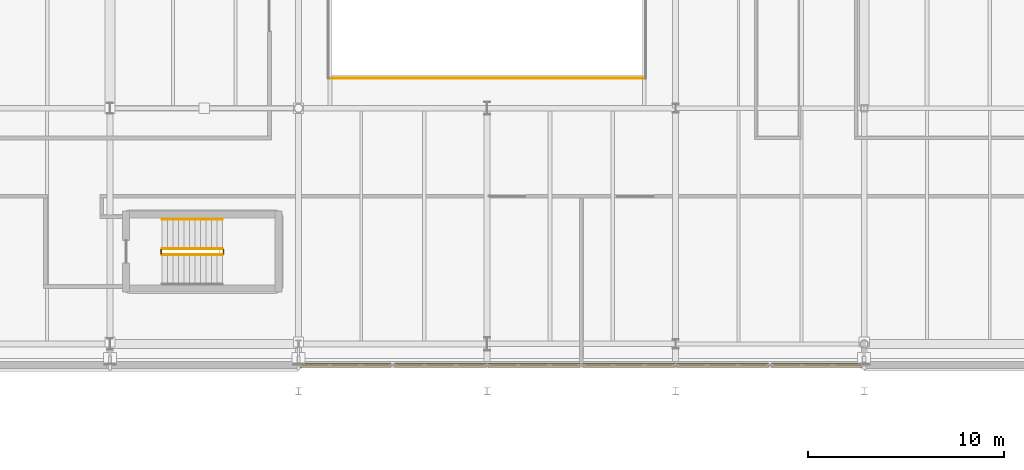
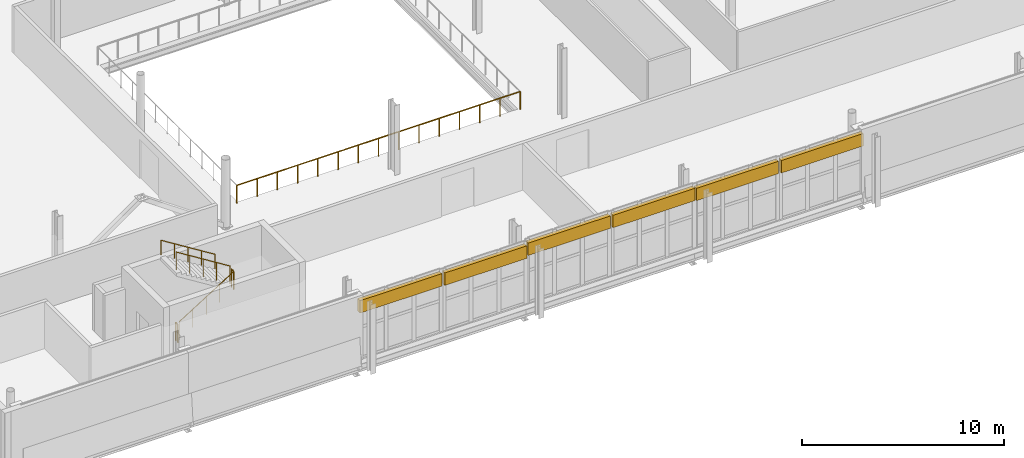
# One storey, part 52 of 57: 6 coverings, 6 railings.
"""IFC4 building model written with IfcOpenShell, lengths in metres."""

from ifc_helpers import new_model, si_unit, direction, frame, origin, origin_2d, place, context, subcontext, project, spatial, rectangle, circle, extrude, material, layer, layer_set, type_object, element, save


model = new_model("IFC4")

# Units and contexts
model_context = context("Model", 3, precision=1e-05, world=origin(), true_north=direction((0.0, 1.0)))
body_context = subcontext(model_context, "Body", "Model", "MODEL_VIEW")
ifc_project = project(units=[si_unit("LENGTHUNIT", "METRE"), si_unit("AREAUNIT", "SQUARE_METRE"), si_unit("VOLUMEUNIT", "CUBIC_METRE"), si_unit("PLANEANGLEUNIT", "RADIAN"), si_unit("MASSUNIT", "GRAM", prefix="KILO")], contexts=[model_context])

# Site, building, storey
site_placement = place(None, origin())
site = spatial("IfcSite", under=ifc_project, at=site_placement, CompositionType="ELEMENT")
building_placement = place(site_placement, origin())
building = spatial("IfcBuilding", under=site, at=building_placement, Name="Zereglee Splitstone Museum", CompositionType="ELEMENT")
storey_placement = place(building_placement, frame((0.0, 0.0, 17.10009765625)))
storey = spatial("IfcBuildingStorey", under=building, at=storey_placement, Name="L03", CompositionType="ELEMENT", Elevation=17.10009765625)

# Coverings
ifc_material_1 = material(Name="Honed Gobi pale limestone stringcourse and soffit cladding", Category="masonry")
ifc_layer = layer(ifc_material_1, 0.070068359375)
ifc_layer_set = layer_set([ifc_layer], Name="Honed Gobi pale limestone stringcourse and soffit cladding")
covering_type = type_object("IfcCoveringType", Name="CL-02", PredefinedType="CLADDING", material=ifc_layer_set)
for number, where, z_axis, x_axis, name in (
    (1, (99.580078125, 8.52001953125, 2.804931640625), (0.0, 0.0, 1.0), (1.0, 0.0, 0.0), "Mughal Carved Clerestory Jaali Frieze RC4-CW-L03-116-1"),
    (2, (104.419921875, 8.52001953125, 2.784912109375), (0.0, 0.0, 1.0), (1.0, 0.0, 0.0), "Mughal Carved Clerestory Jaali Frieze RC4-CW-L03-116-2"),
    (3, (109.179931640625, 8.52001953125, 2.9248046875), (0.0, 0.0, 1.0), (1.0, 0.0, 0.0), "Mughal Carved Clerestory Jaali Frieze RC4-CW-L03-117-1"),
    (4, (114.02001953125, 8.52001953125, 2.90478515625), (0.0, 0.0, 1.0), (1.0, 0.0, 0.0), "Mughal Carved Clerestory Jaali Frieze RC4-CW-L03-117-2"),
    (5, (118.780029296875, 8.52001953125, 2.864990234375), (0.0, 0.0, 1.0), (1.0, 0.0, 0.0), "Mughal Carved Clerestory Jaali Frieze RC4-CW-L03-118-1"),
    (6, (123.6201171875, 8.52001953125, 2.844970703125), (0.0, 0.0, 1.0), (1.0, 0.0, 0.0), "Mughal Carved Clerestory Jaali Frieze RC4-CW-L03-118-2"),
):
    element("IfcCovering", number, at=place(storey_placement, frame(where, z_axis=z_axis, x_axis=x_axis)), inside=storey, type_object=covering_type, Name=name, PredefinedType="CLADDING", context=body_context, shape_type="SweptSolid", body=[
        extrude(rectangle(XDim=4.679931640625, YDim=0.239990234375, at=origin_2d()), origin(), (0.0, 0.0, 1.0), 0.75),
    ])

# Railings
ifc_material_2 = material(Name="Glazed laminated glass and bronze balustrade", Category="glass")
railing_type_1 = type_object("IfcRailingType", Name="GR-02", PredefinedType="BALUSTRADE", material=ifc_material_2)
railing_1_placement = place(storey_placement, frame((98.719970703125, 23.1201171875, 0.0)))
element("IfcRailing", 7, at=railing_1_placement, inside=storey, type_object=railing_type_1, Name="Atrium Glazed Balustrade L03 Side 1", PredefinedType="BALUSTRADE", context=body_context, shape_type="SweptSolid", body=[
    extrude(circle(Radius=0.02392578125, at=origin_2d()), frame((0.0, 0.0, 1.076416015625), z_axis=(1.0, 0.0, 0.0), x_axis=(0.0, 1.0, 0.0)), (0.0, 0.0, 1.0), 16.159912109375),
    extrude(circle(Radius=0.02099609375, at=origin_2d()), origin(), (0.0, 0.0, 1.0), 1.052001953125),
    extrude(circle(Radius=0.02099609375, at=origin_2d()), frame((1.154296875, 0.0, 0.0)), (0.0, 0.0, 1.0), 1.052001953125),
    extrude(circle(Radius=0.02099609375, at=origin_2d()), frame((2.30859375, 0.0, 0.0)), (0.0, 0.0, 1.0), 1.052001953125),
    extrude(circle(Radius=0.02099609375, at=origin_2d()), frame((3.462890625, 0.0, 0.0)), (0.0, 0.0, 1.0), 1.052001953125),
    extrude(circle(Radius=0.02099609375, at=origin_2d()), frame((4.6171875, 0.0, 0.0)), (0.0, 0.0, 1.0), 1.052001953125),
    extrude(circle(Radius=0.02099609375, at=origin_2d()), frame((5.771484375, 0.0, 0.0)), (0.0, 0.0, 1.0), 1.052001953125),
    extrude(circle(Radius=0.02099609375, at=origin_2d()), frame((6.92578125, 0.0, 0.0)), (0.0, 0.0, 1.0), 1.052001953125),
    extrude(circle(Radius=0.02099609375, at=origin_2d()), frame((8.080078125, 0.0, 0.0)), (0.0, 0.0, 1.0), 1.052001953125),
    extrude(circle(Radius=0.02099609375, at=origin_2d()), frame((9.234130859375, 0.0, 0.0)), (0.0, 0.0, 1.0), 1.052001953125),
    extrude(circle(Radius=0.02099609375, at=origin_2d()), frame((10.388427734375, 0.0, 0.0)), (0.0, 0.0, 1.0), 1.052001953125),
    extrude(circle(Radius=0.02099609375, at=origin_2d()), frame((11.542724609375, 0.0, 0.0)), (0.0, 0.0, 1.0), 1.052001953125),
    extrude(circle(Radius=0.02099609375, at=origin_2d()), frame((12.697021484375, 0.0, 0.0)), (0.0, 0.0, 1.0), 1.052001953125),
    extrude(circle(Radius=0.02099609375, at=origin_2d()), frame((13.851318359375, 0.0, 0.0)), (0.0, 0.0, 1.0), 1.052001953125),
    extrude(circle(Radius=0.02099609375, at=origin_2d()), frame((15.005615234375, 0.0, 0.0)), (0.0, 0.0, 1.0), 1.052001953125),
    extrude(circle(Radius=0.02099609375, at=origin_2d()), frame((16.159912109375, 0.0, 0.0)), (0.0, 0.0, 1.0), 1.052001953125),
])
ifc_material_3 = material(Name="Painted steel S355J2 post-and-baluster guard", Category="steel")
railing_type_2 = type_object("IfcRailingType", Name="GR-03", PredefinedType="BALUSTRADE", material=ifc_material_3)
railing_2_placement = place(storey_placement, frame((90.25, 14.14990234375, 0.1748046875)))
element("IfcRailing", 8, at=railing_2_placement, inside=storey, type_object=railing_type_2, Name="L03 ST-06 stair guard 1", PredefinedType="BALUSTRADE", context=body_context, shape_type="SweptSolid", body=[
    extrude(circle(Radius=0.02392578125, at=origin_2d()), frame((0.0, 0.0, 1.076416015625), z_axis=(0.847998304005, 0.0, 0.529998940003), x_axis=(0.0, 1.0, 0.0)), (0.0, 0.0, 1.0), 3.632080078125),
    extrude(circle(Radius=0.02099609375, at=origin_2d()), origin(), (0.0, 0.0, 1.0), 1.052001953125),
    extrude(circle(Radius=0.02099609375, at=origin_2d()), frame((0.77001953125, 0.0, 0.481201171875)), (0.0, 0.0, 1.0), 1.052001953125),
    extrude(circle(Radius=0.02099609375, at=origin_2d()), frame((1.5400390625, 0.0, 0.96240234375)), (0.0, 0.0, 1.0), 1.052001953125),
    extrude(circle(Radius=0.02099609375, at=origin_2d()), frame((2.31005859375, 0.0, 1.44384765625)), (0.0, 0.0, 1.0), 1.052001953125),
    extrude(circle(Radius=0.02099609375, at=origin_2d()), frame((3.080078125, 0.0, 1.925048828125)), (0.0, 0.0, 1.0), 1.052001953125),
])
railing_3_placement = place(storey_placement, frame((93.3798828125, 14.199951171875, 2.099853515625)))
element("IfcRailing", 9, at=railing_3_placement, inside=storey, type_object=railing_type_2, Name="L03 ST-06 stair guard 2", PredefinedType="BALUSTRADE", context=body_context, shape_type="SweptSolid", body=[
    extrude(circle(Radius=0.02392578125, at=origin_2d()), frame((0.0, 0.0, 1.076416015625), z_axis=(0.0, 1.0, 0.0), x_axis=(-1.0, 0.0, 0.0)), (0.0, 0.0, 1.0), 0.199951171875),
    extrude(circle(Radius=0.02099609375, at=origin_2d()), origin(), (0.0, 0.0, 1.0), 1.052001953125),
    extrude(circle(Radius=0.02099609375, at=origin_2d()), frame((0.0, 0.199951171875, 0.0)), (0.0, 0.0, 1.0), 1.052001953125),
])
railing_4_placement = place(storey_placement, frame((93.330078125, 14.449951171875, 2.27490234375)))
element("IfcRailing", 10, at=railing_4_placement, inside=storey, type_object=railing_type_2, Name="L03 ST-06 stair guard 3", PredefinedType="BALUSTRADE", context=body_context, shape_type="SweptSolid", body=[
    extrude(circle(Radius=0.02392578125, at=origin_2d()), frame((0.0, 0.0, 1.076416015625), z_axis=(-0.847998304005, 0.0, 0.529998940003), x_axis=(0.0, -1.0, 0.0)), (0.0, 0.0, 1.0), 3.632080078125),
    extrude(circle(Radius=0.02099609375, at=origin_2d()), origin(), (0.0, 0.0, 1.0), 1.052001953125),
    extrude(circle(Radius=0.02099609375, at=origin_2d()), frame((-0.77001953125, 0.0, 0.481201171875)), (0.0, 0.0, 1.0), 1.052001953125),
    extrude(circle(Radius=0.02099609375, at=origin_2d()), frame((-1.5400390625, 0.0, 0.96240234375)), (0.0, 0.0, 1.0), 1.052001953125),
    extrude(circle(Radius=0.02099609375, at=origin_2d()), frame((-2.31005859375, 0.0, 1.44384765625)), (0.0, 0.0, 1.0), 1.052001953125),
    extrude(circle(Radius=0.02099609375, at=origin_2d()), frame((-3.080078125, 0.0, 1.925048828125)), (0.0, 0.0, 1.0), 1.052001953125),
])
railing_5_placement = place(storey_placement, frame((90.199951171875, 14.199951171875, 0.0)))
element("IfcRailing", 11, at=railing_5_placement, inside=storey, type_object=railing_type_2, Name="L03 ST-06 stair guard 4", PredefinedType="BALUSTRADE", context=body_context, shape_type="SweptSolid", body=[
    extrude(circle(Radius=0.02392578125, at=origin_2d()), frame((0.0, 0.0, 1.076416015625), z_axis=(0.0, 1.0, 0.0), x_axis=(-1.0, 0.0, 0.0)), (0.0, 0.0, 1.0), 0.199951171875),
    extrude(circle(Radius=0.02099609375, at=origin_2d()), origin(), (0.0, 0.0, 1.0), 1.052001953125),
    extrude(circle(Radius=0.02099609375, at=origin_2d()), frame((0.0, 0.199951171875, 0.0)), (0.0, 0.0, 1.0), 1.052001953125),
])
ifc_material_4 = material(Name="Architectural bronze tubular handrail", Category="steel")
railing_type_3 = type_object("IfcRailingType", Name="HR-01", PredefinedType="HANDRAIL", material=ifc_material_4)
railing_6_placement = place(storey_placement, frame((93.330078125, 15.949951171875, 2.27490234375)))
element("IfcRailing", 12, at=railing_6_placement, inside=storey, type_object=railing_type_3, Name="L03 ST-06 stair handrail 2", PredefinedType="HANDRAIL", context=body_context, shape_type="SweptSolid", body=[
    extrude(circle(Radius=0.02392578125, at=origin_2d()), frame((0.0, 0.0, 0.8759765625), z_axis=(-0.847998304005, 0.0, 0.529998940003), x_axis=(0.0, -1.0, 0.0)), (0.0, 0.0, 1.0), 3.632080078125),
    extrude(circle(Radius=0.02099609375, at=origin_2d()), origin(), (0.0, 0.0, 1.0), 0.851806640625),
    extrude(circle(Radius=0.02099609375, at=origin_2d()), frame((-0.77001953125, 0.0, 0.481201171875)), (0.0, 0.0, 1.0), 0.851806640625),
    extrude(circle(Radius=0.02099609375, at=origin_2d()), frame((-1.5400390625, 0.0, 0.96240234375)), (0.0, 0.0, 1.0), 0.851806640625),
    extrude(circle(Radius=0.02099609375, at=origin_2d()), frame((-2.31005859375, 0.0, 1.44384765625)), (0.0, 0.0, 1.0), 0.851806640625),
    extrude(circle(Radius=0.02099609375, at=origin_2d()), frame((-3.080078125, 0.0, 1.925048828125)), (0.0, 0.0, 1.0), 0.851806640625),
])

save(model, "model.ifc")
